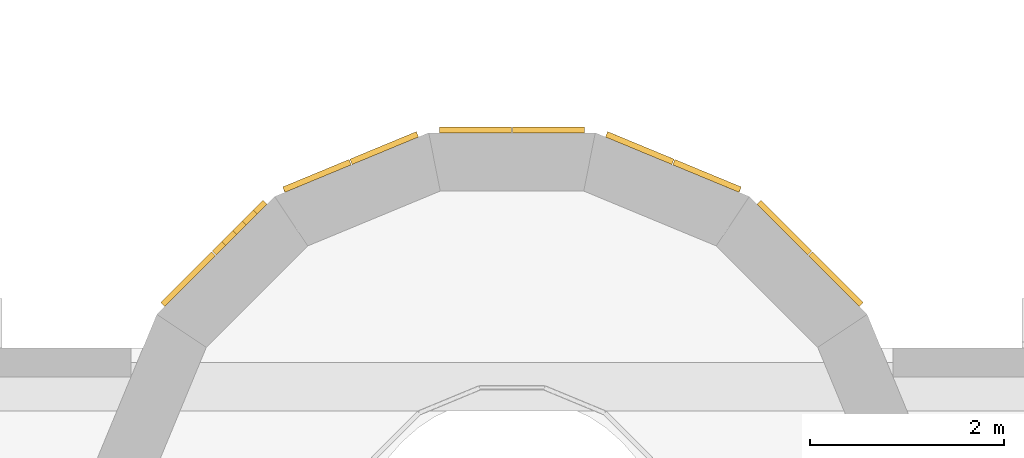
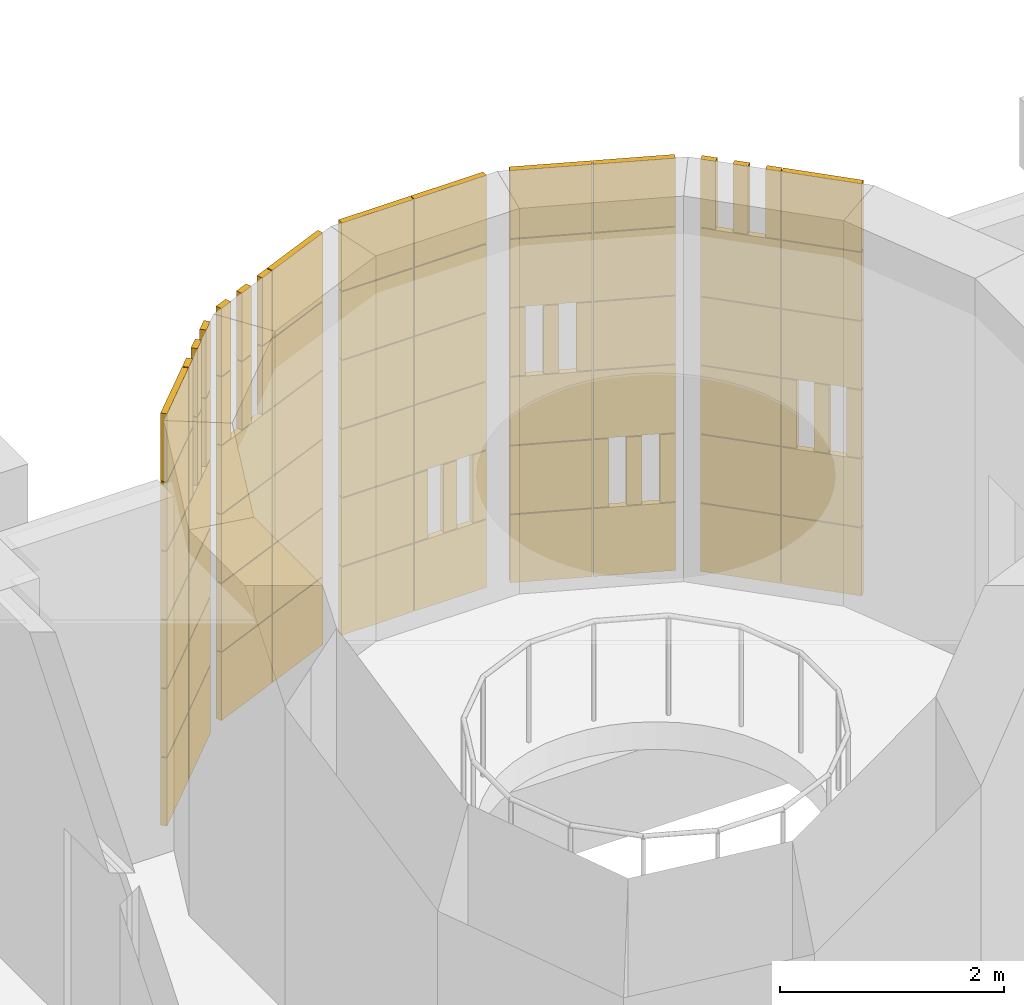
# One storey, part 60 of 92: 6 coverings.
"""IFC4 building model written with IfcOpenShell, lengths in metres."""

from ifc_helpers import new_model, si_unit, direction, frame, origin, origin_2d, place, context, subcontext, project, spatial, rectangle, extrude, material, layer, layer_set, type_object, element, save


model = new_model("IFC4")

# Units and contexts
model_context = context("Model", 3, precision=1e-05, world=origin(), true_north=direction((0.0, 1.0)))
body_context = subcontext(model_context, "Body", "Model", "MODEL_VIEW")
ifc_project = project(units=[si_unit("LENGTHUNIT", "METRE"), si_unit("AREAUNIT", "SQUARE_METRE"), si_unit("VOLUMEUNIT", "CUBIC_METRE"), si_unit("PLANEANGLEUNIT", "RADIAN"), si_unit("MASSUNIT", "GRAM", prefix="KILO")], contexts=[model_context])

# Site, building, storey
site_placement = place(None, origin())
site = spatial("IfcSite", under=ifc_project, at=site_placement, CompositionType="ELEMENT")
building_placement = place(site_placement, origin())
building = spatial("IfcBuilding", under=site, at=building_placement, Name="Sun Court Science Centre", CompositionType="ELEMENT")
storey_placement = place(building_placement, frame((0.0, 0.0, 11.25)))
storey = spatial("IfcBuildingStorey", under=building, at=storey_placement, Name="L02", CompositionType="ELEMENT", Elevation=11.25)

# Coverings
ifc_material_1 = material(Name="Terracotta jali", Category="masonry")
ifc_layer_1 = layer(ifc_material_1, 0.06005859375)
ifc_layer_set_1 = layer_set([ifc_layer_1], Name="Terracotta jali")
covering_type_1 = type_object("IfcCoveringType", Name="Terracotta open jali panel", PredefinedType="CLADDING", material=ifc_layer_set_1)
covering_1_placement = place(storey_placement, frame((0.0, 0.0, -11.25)))
element("IfcCovering", 1, at=covering_1_placement, inside=storey, type_object=covering_type_1, Name="Open jali pixel cladding cone 2 L02", PredefinedType="CLADDING", context=body_context, shape_type="SweptSolid", body=[
    extrude(rectangle(XDim=0.139892578125, YDim=0.06005859375, at=origin_2d()), frame((21.125732421875, 28.919677734375, 12.455078125), z_axis=(0.0, 0.0, 1.0), x_axis=(0.707106781187, -0.707106781187, 0.0)), (0.0, 0.0, 1.0), 0.739990234375),
    extrude(rectangle(XDim=0.139892578125, YDim=0.06005859375, at=origin_2d()), frame((21.337890625, 28.70751953125, 12.455078125), z_axis=(0.0, 0.0, 1.0), x_axis=(0.707106781187, -0.707106781187, 0.0)), (0.0, 0.0, 1.0), 0.739990234375),
    extrude(rectangle(XDim=0.139892578125, YDim=0.06005859375, at=origin_2d()), frame((21.550048828125, 28.495361328125, 12.455078125), z_axis=(0.0, 0.0, 1.0), x_axis=(0.707106781187, -0.707106781187, 0.0)), (0.0, 0.0, 1.0), 0.739990234375),
    extrude(rectangle(XDim=0.139892578125, YDim=0.06005859375, at=origin_2d()), frame((20.595458984375, 29.449951171875, 14.705078125), z_axis=(0.0, 0.0, 1.0), x_axis=(0.707106781187, -0.707106781187, 0.0)), (0.0, 0.0, 1.0), 0.739990234375),
    extrude(rectangle(XDim=0.139892578125, YDim=0.06005859375, at=origin_2d()), frame((20.8076171875, 29.23779296875, 14.705078125), z_axis=(0.0, 0.0, 1.0), x_axis=(0.707106781187, -0.707106781187, 0.0)), (0.0, 0.0, 1.0), 0.739990234375),
    extrude(rectangle(XDim=0.139892578125, YDim=0.06005859375, at=origin_2d()), frame((21.019775390625, 29.025634765625, 14.705078125), z_axis=(0.0, 0.0, 1.0), x_axis=(0.707106781187, -0.707106781187, 0.0)), (0.0, 0.0, 1.0), 0.739990234375),
    extrude(rectangle(XDim=0.139892578125, YDim=0.06005859375, at=origin_2d()), frame((19.732177734375, 29.885986328125, 11.705078125), z_axis=(0.0, 0.0, 1.0), x_axis=(0.923879532511, -0.382683432365, 0.0)), (0.0, 0.0, 1.0), 0.739990234375),
    extrude(rectangle(XDim=0.139892578125, YDim=0.06005859375, at=origin_2d()), frame((20.00927734375, 29.771240234375, 11.705078125), z_axis=(0.0, 0.0, 1.0), x_axis=(0.923879532511, -0.382683432365, 0.0)), (0.0, 0.0, 1.0), 0.739990234375),
    extrude(rectangle(XDim=0.139892578125, YDim=0.06005859375, at=origin_2d()), frame((20.28662109375, 29.65625, 11.705078125), z_axis=(0.0, 0.0, 1.0), x_axis=(0.923879532511, -0.382683432365, 0.0)), (0.0, 0.0, 1.0), 0.739990234375),
    extrude(rectangle(XDim=0.139892578125, YDim=0.06005859375, at=origin_2d()), frame((19.039306640625, 30.173095703125, 13.205078125), z_axis=(0.0, 0.0, 1.0), x_axis=(0.923879532511, -0.382683432365, 0.0)), (0.0, 0.0, 1.0), 0.739990234375),
    extrude(rectangle(XDim=0.139892578125, YDim=0.06005859375, at=origin_2d()), frame((19.31640625, 30.05810546875, 13.205078125), z_axis=(0.0, 0.0, 1.0), x_axis=(0.923879532511, -0.382683432365, 0.0)), (0.0, 0.0, 1.0), 0.739990234375),
    extrude(rectangle(XDim=0.139892578125, YDim=0.06005859375, at=origin_2d()), frame((19.59375, 29.943359375, 13.205078125), z_axis=(0.0, 0.0, 1.0), x_axis=(0.923879532511, -0.382683432365, 0.0)), (0.0, 0.0, 1.0), 0.739990234375),
    extrude(rectangle(XDim=0.139892578125, YDim=0.06005859375, at=origin_2d()), frame((18.074951171875, 30.245361328125, 11.705078125), z_axis=(0.0, 0.0, 1.0), x_axis=(1.0, 0.0, 0.0)), (0.0, 0.0, 1.0), 0.739990234375),
    extrude(rectangle(XDim=0.139892578125, YDim=0.06005859375, at=origin_2d()), frame((18.375, 30.245361328125, 11.705078125), z_axis=(0.0, 0.0, 1.0), x_axis=(1.0, 0.0, 0.0)), (0.0, 0.0, 1.0), 0.739990234375),
    extrude(rectangle(XDim=0.139892578125, YDim=0.06005859375, at=origin_2d()), frame((18.675048828125, 30.245361328125, 11.705078125), z_axis=(0.0, 0.0, 1.0), x_axis=(1.0, 0.0, 0.0)), (0.0, 0.0, 1.0), 0.739990234375),
    extrude(rectangle(XDim=0.139892578125, YDim=0.06005859375, at=origin_2d()), frame((15.71337890625, 29.65625, 13.955078125), z_axis=(0.0, 0.0, 1.0), x_axis=(0.923879532511, 0.382683432365, 0.0)), (0.0, 0.0, 1.0), 0.739990234375),
    extrude(rectangle(XDim=0.139892578125, YDim=0.06005859375, at=origin_2d()), frame((15.99072265625, 29.771240234375, 13.955078125), z_axis=(0.0, 0.0, 1.0), x_axis=(0.923879532511, 0.382683432365, 0.0)), (0.0, 0.0, 1.0), 0.739990234375),
    extrude(rectangle(XDim=0.139892578125, YDim=0.06005859375, at=origin_2d()), frame((16.267822265625, 29.885986328125, 13.955078125), z_axis=(0.0, 0.0, 1.0), x_axis=(0.923879532511, 0.382683432365, 0.0)), (0.0, 0.0, 1.0), 0.739990234375),
    extrude(rectangle(XDim=0.139892578125, YDim=0.06005859375, at=origin_2d()), frame((15.71337890625, 29.65625, 14.705078125), z_axis=(0.0, 0.0, 1.0), x_axis=(0.923879532511, 0.382683432365, 0.0)), (0.0, 0.0, 1.0), 0.739990234375),
    extrude(rectangle(XDim=0.139892578125, YDim=0.06005859375, at=origin_2d()), frame((15.99072265625, 29.771240234375, 14.705078125), z_axis=(0.0, 0.0, 1.0), x_axis=(0.923879532511, 0.382683432365, 0.0)), (0.0, 0.0, 1.0), 0.739990234375),
    extrude(rectangle(XDim=0.139892578125, YDim=0.06005859375, at=origin_2d()), frame((16.267822265625, 29.885986328125, 14.705078125), z_axis=(0.0, 0.0, 1.0), x_axis=(0.923879532511, 0.382683432365, 0.0)), (0.0, 0.0, 1.0), 0.739990234375),
    extrude(rectangle(XDim=0.139892578125, YDim=0.06005859375, at=origin_2d()), frame((14.980224609375, 29.025634765625, 13.955078125), z_axis=(0.0, 0.0, 1.0), x_axis=(0.707106781187, 0.707106781187, 0.0)), (0.0, 0.0, 1.0), 0.739990234375),
    extrude(rectangle(XDim=0.139892578125, YDim=0.06005859375, at=origin_2d()), frame((15.1923828125, 29.23779296875, 13.955078125), z_axis=(0.0, 0.0, 1.0), x_axis=(0.707106781187, 0.707106781187, 0.0)), (0.0, 0.0, 1.0), 0.739990234375),
    extrude(rectangle(XDim=0.139892578125, YDim=0.06005859375, at=origin_2d()), frame((15.404541015625, 29.449951171875, 13.955078125), z_axis=(0.0, 0.0, 1.0), x_axis=(0.707106781187, 0.707106781187, 0.0)), (0.0, 0.0, 1.0), 0.739990234375),
    extrude(rectangle(XDim=0.139892578125, YDim=0.06005859375, at=origin_2d()), frame((14.980224609375, 29.025634765625, 14.705078125), z_axis=(0.0, 0.0, 1.0), x_axis=(0.707106781187, 0.707106781187, 0.0)), (0.0, 0.0, 1.0), 0.739990234375),
    extrude(rectangle(XDim=0.139892578125, YDim=0.06005859375, at=origin_2d()), frame((15.1923828125, 29.23779296875, 14.705078125), z_axis=(0.0, 0.0, 1.0), x_axis=(0.707106781187, 0.707106781187, 0.0)), (0.0, 0.0, 1.0), 0.739990234375),
    extrude(rectangle(XDim=0.139892578125, YDim=0.06005859375, at=origin_2d()), frame((15.404541015625, 29.449951171875, 14.705078125), z_axis=(0.0, 0.0, 1.0), x_axis=(0.707106781187, 0.707106781187, 0.0)), (0.0, 0.0, 1.0), 0.739990234375),
    extrude(rectangle(XDim=0.739990234375, YDim=0.06005859375, at=origin_2d()), frame((21.337890625, 28.70751953125, 10.955078125), z_axis=(0.0, 0.0, 1.0), x_axis=(0.707106781187, -0.707106781187, 0.0)), (0.0, 0.0, 1.0), 0.739990234375),
    extrude(rectangle(XDim=0.739990234375, YDim=0.06005859375, at=origin_2d()), frame((21.337890625, 28.70751953125, 13.205078125), z_axis=(0.0, 0.0, 1.0), x_axis=(0.707106781187, -0.707106781187, 0.0)), (0.0, 0.0, 1.0), 0.739990234375),
    extrude(rectangle(XDim=0.739990234375, YDim=0.06005859375, at=origin_2d()), frame((15.1923828125, 29.23779296875, 10.955078125), z_axis=(0.0, 0.0, 1.0), x_axis=(0.707106781187, 0.707106781187, 0.0)), (0.0, 0.0, 1.0), 0.739990234375),
    extrude(rectangle(XDim=0.739990234375, YDim=0.06005859375, at=origin_2d()), frame((21.337890625, 28.70751953125, 11.705078125), z_axis=(0.0, 0.0, 1.0), x_axis=(0.707106781187, -0.707106781187, 0.0)), (0.0, 0.0, 1.0), 0.739990234375),
    extrude(rectangle(XDim=0.739990234375, YDim=0.06005859375, at=origin_2d()), frame((21.337890625, 28.70751953125, 14.705078125), z_axis=(0.0, 0.0, 1.0), x_axis=(0.707106781187, -0.707106781187, 0.0)), (0.0, 0.0, 1.0), 0.739990234375),
    extrude(rectangle(XDim=0.739990234375, YDim=0.06005859375, at=origin_2d()), frame((18.375, 30.245361328125, 14.705078125), z_axis=(0.0, 0.0, 1.0), x_axis=(1.0, 0.0, 0.0)), (0.0, 0.0, 1.0), 0.739990234375),
])
ifc_material_2 = material(Name="Terracotta shade 1", Category="masonry")
ifc_layer_2 = layer(ifc_material_2, 0.06005859375)
ifc_layer_set_2 = layer_set([ifc_layer_2], Name="Terracotta shade 1")
covering_type_2 = type_object("IfcCoveringType", Name="Terracotta pixel panel shade 1", PredefinedType="CLADDING", material=ifc_layer_set_2)
covering_2_placement = place(storey_placement, frame((0.0, 0.0, -11.25)))
element("IfcCovering", 2, at=covering_2_placement, inside=storey, type_object=covering_type_2, Name="Terracotta pixel cladding shade 1 cone 2 L02", PredefinedType="CLADDING", context=body_context, shape_type="SweptSolid", body=[
    extrude(rectangle(XDim=0.739990234375, YDim=0.06005859375, at=origin_2d()), frame((20.8076171875, 29.23779296875, 11.705078125), z_axis=(0.0, 0.0, 1.0), x_axis=(0.707106781187, -0.707106781187, 0.0)), (0.0, 0.0, 1.0), 0.739990234375),
    extrude(rectangle(XDim=0.739990234375, YDim=0.06005859375, at=origin_2d()), frame((19.31640625, 30.05810546875, 11.705078125), z_axis=(0.0, 0.0, 1.0), x_axis=(0.923879532511, -0.382683432365, 0.0)), (0.0, 0.0, 1.0), 0.739990234375),
    extrude(rectangle(XDim=0.739990234375, YDim=0.06005859375, at=origin_2d()), frame((20.00927734375, 29.771240234375, 12.455078125), z_axis=(0.0, 0.0, 1.0), x_axis=(0.923879532511, -0.382683432365, 0.0)), (0.0, 0.0, 1.0), 0.739990234375),
    extrude(rectangle(XDim=0.739990234375, YDim=0.06005859375, at=origin_2d()), frame((20.00927734375, 29.771240234375, 13.955078125), z_axis=(0.0, 0.0, 1.0), x_axis=(0.923879532511, -0.382683432365, 0.0)), (0.0, 0.0, 1.0), 0.739990234375),
    extrude(rectangle(XDim=0.739990234375, YDim=0.06005859375, at=origin_2d()), frame((17.625, 30.245361328125, 10.955078125), z_axis=(0.0, 0.0, 1.0), x_axis=(1.0, 0.0, 0.0)), (0.0, 0.0, 1.0), 0.739990234375),
    extrude(rectangle(XDim=0.739990234375, YDim=0.06005859375, at=origin_2d()), frame((18.375, 30.245361328125, 10.955078125), z_axis=(0.0, 0.0, 1.0), x_axis=(1.0, 0.0, 0.0)), (0.0, 0.0, 1.0), 0.739990234375),
    extrude(rectangle(XDim=0.739990234375, YDim=0.06005859375, at=origin_2d()), frame((17.625, 30.245361328125, 11.705078125), z_axis=(0.0, 0.0, 1.0), x_axis=(1.0, 0.0, 0.0)), (0.0, 0.0, 1.0), 0.739990234375),
    extrude(rectangle(XDim=0.739990234375, YDim=0.06005859375, at=origin_2d()), frame((18.375, 30.245361328125, 12.455078125), z_axis=(0.0, 0.0, 1.0), x_axis=(1.0, 0.0, 0.0)), (0.0, 0.0, 1.0), 0.739990234375),
    extrude(rectangle(XDim=0.739990234375, YDim=0.06005859375, at=origin_2d()), frame((18.375, 30.245361328125, 13.205078125), z_axis=(0.0, 0.0, 1.0), x_axis=(1.0, 0.0, 0.0)), (0.0, 0.0, 1.0), 0.739990234375),
    extrude(rectangle(XDim=0.739990234375, YDim=0.06005859375, at=origin_2d()), frame((15.99072265625, 29.771240234375, 11.705078125), z_axis=(0.0, 0.0, 1.0), x_axis=(0.923879532511, 0.382683432365, 0.0)), (0.0, 0.0, 1.0), 0.739990234375),
    extrude(rectangle(XDim=0.739990234375, YDim=0.06005859375, at=origin_2d()), frame((16.68359375, 30.05810546875, 11.705078125), z_axis=(0.0, 0.0, 1.0), x_axis=(0.923879532511, 0.382683432365, 0.0)), (0.0, 0.0, 1.0), 0.739990234375),
    extrude(rectangle(XDim=0.739990234375, YDim=0.06005859375, at=origin_2d()), frame((16.68359375, 30.05810546875, 13.205078125), z_axis=(0.0, 0.0, 1.0), x_axis=(0.923879532511, 0.382683432365, 0.0)), (0.0, 0.0, 1.0), 0.739990234375),
    extrude(rectangle(XDim=0.739990234375, YDim=0.06005859375, at=origin_2d()), frame((15.1923828125, 29.23779296875, 11.705078125), z_axis=(0.0, 0.0, 1.0), x_axis=(0.707106781187, 0.707106781187, 0.0)), (0.0, 0.0, 1.0), 0.739990234375),
    extrude(rectangle(XDim=0.739990234375, YDim=0.06005859375, at=origin_2d()), frame((14.662109375, 28.70751953125, 14.705078125), z_axis=(0.0, 0.0, 1.0), x_axis=(0.707106781187, 0.707106781187, 0.0)), (0.0, 0.0, 1.0), 0.739990234375),
    extrude(rectangle(XDim=0.739990234375, YDim=0.06005859375, at=origin_2d()), frame((20.8076171875, 29.23779296875, 12.455078125), z_axis=(0.0, 0.0, 1.0), x_axis=(0.707106781187, -0.707106781187, 0.0)), (0.0, 0.0, 1.0), 0.739990234375),
    extrude(rectangle(XDim=0.739990234375, YDim=0.06005859375, at=origin_2d()), frame((14.662109375, 28.70751953125, 13.205078125), z_axis=(0.0, 0.0, 1.0), x_axis=(0.707106781187, 0.707106781187, 0.0)), (0.0, 0.0, 1.0), 0.739990234375),
    extrude(rectangle(XDim=0.739990234375, YDim=0.06005859375, at=origin_2d()), frame((14.662109375, 28.70751953125, 13.955078125), z_axis=(0.0, 0.0, 1.0), x_axis=(0.707106781187, 0.707106781187, 0.0)), (0.0, 0.0, 1.0), 0.739990234375),
    extrude(rectangle(XDim=0.739990234375, YDim=0.06005859375, at=origin_2d()), frame((20.8076171875, 29.23779296875, 13.205078125), z_axis=(0.0, 0.0, 1.0), x_axis=(0.707106781187, -0.707106781187, 0.0)), (0.0, 0.0, 1.0), 0.739990234375),
    extrude(rectangle(XDim=0.739990234375, YDim=0.06005859375, at=origin_2d()), frame((14.662109375, 28.70751953125, 10.955078125), z_axis=(0.0, 0.0, 1.0), x_axis=(0.707106781187, 0.707106781187, 0.0)), (0.0, 0.0, 1.0), 0.739990234375),
])
ifc_material_3 = material(Name="Terracotta shade 2", Category="masonry")
ifc_layer_3 = layer(ifc_material_3, 0.06005859375)
ifc_layer_set_3 = layer_set([ifc_layer_3], Name="Terracotta shade 2")
covering_type_3 = type_object("IfcCoveringType", Name="Terracotta pixel panel shade 2", PredefinedType="CLADDING", material=ifc_layer_set_3)
covering_3_placement = place(storey_placement, frame((0.0, 0.0, -11.25)))
element("IfcCovering", 3, at=covering_3_placement, inside=storey, type_object=covering_type_3, Name="Terracotta pixel cladding shade 2 cone 2 L02", PredefinedType="CLADDING", context=body_context, shape_type="SweptSolid", body=[
    extrude(rectangle(XDim=0.739990234375, YDim=0.06005859375, at=origin_2d()), frame((19.31640625, 30.05810546875, 12.455078125), z_axis=(0.0, 0.0, 1.0), x_axis=(0.923879532511, -0.382683432365, 0.0)), (0.0, 0.0, 1.0), 0.739990234375),
    extrude(rectangle(XDim=0.739990234375, YDim=0.06005859375, at=origin_2d()), frame((19.31640625, 30.05810546875, 14.705078125), z_axis=(0.0, 0.0, 1.0), x_axis=(0.923879532511, -0.382683432365, 0.0)), (0.0, 0.0, 1.0), 0.739990234375),
    extrude(rectangle(XDim=0.739990234375, YDim=0.06005859375, at=origin_2d()), frame((20.00927734375, 29.771240234375, 14.705078125), z_axis=(0.0, 0.0, 1.0), x_axis=(0.923879532511, -0.382683432365, 0.0)), (0.0, 0.0, 1.0), 0.739990234375),
    extrude(rectangle(XDim=0.739990234375, YDim=0.06005859375, at=origin_2d()), frame((17.625, 30.245361328125, 12.455078125), z_axis=(0.0, 0.0, 1.0), x_axis=(1.0, 0.0, 0.0)), (0.0, 0.0, 1.0), 0.739990234375),
    extrude(rectangle(XDim=0.739990234375, YDim=0.06005859375, at=origin_2d()), frame((15.99072265625, 29.771240234375, 12.455078125), z_axis=(0.0, 0.0, 1.0), x_axis=(0.923879532511, 0.382683432365, 0.0)), (0.0, 0.0, 1.0), 0.739990234375),
    extrude(rectangle(XDim=0.739990234375, YDim=0.06005859375, at=origin_2d()), frame((16.68359375, 30.05810546875, 14.705078125), z_axis=(0.0, 0.0, 1.0), x_axis=(0.923879532511, 0.382683432365, 0.0)), (0.0, 0.0, 1.0), 0.739990234375),
    extrude(rectangle(XDim=0.739990234375, YDim=0.06005859375, at=origin_2d()), frame((14.662109375, 28.70751953125, 11.705078125), z_axis=(0.0, 0.0, 1.0), x_axis=(0.707106781187, 0.707106781187, 0.0)), (0.0, 0.0, 1.0), 0.739990234375),
    extrude(rectangle(XDim=0.739990234375, YDim=0.06005859375, at=origin_2d()), frame((14.662109375, 28.70751953125, 12.455078125), z_axis=(0.0, 0.0, 1.0), x_axis=(0.707106781187, 0.707106781187, 0.0)), (0.0, 0.0, 1.0), 0.739990234375),
    extrude(rectangle(XDim=0.739990234375, YDim=0.06005859375, at=origin_2d()), frame((15.1923828125, 29.23779296875, 12.455078125), z_axis=(0.0, 0.0, 1.0), x_axis=(0.707106781187, 0.707106781187, 0.0)), (0.0, 0.0, 1.0), 0.739990234375),
    extrude(rectangle(XDim=0.739990234375, YDim=0.06005859375, at=origin_2d()), frame((15.1923828125, 29.23779296875, 13.205078125), z_axis=(0.0, 0.0, 1.0), x_axis=(0.707106781187, 0.707106781187, 0.0)), (0.0, 0.0, 1.0), 0.739990234375),
    extrude(rectangle(XDim=0.739990234375, YDim=0.06005859375, at=origin_2d()), frame((17.625, 30.245361328125, 14.705078125), z_axis=(0.0, 0.0, 1.0), x_axis=(1.0, 0.0, 0.0)), (0.0, 0.0, 1.0), 0.739990234375),
])
ifc_material_4 = material(Name="Terracotta shade 3", Category="masonry")
ifc_layer_4 = layer(ifc_material_4, 0.06005859375)
ifc_layer_set_4 = layer_set([ifc_layer_4], Name="Terracotta shade 3")
covering_type_4 = type_object("IfcCoveringType", Name="Terracotta pixel panel shade 3", PredefinedType="CLADDING", material=ifc_layer_set_4)
covering_4_placement = place(storey_placement, frame((0.0, 0.0, -11.25)))
element("IfcCovering", 4, at=covering_4_placement, inside=storey, type_object=covering_type_4, Name="Terracotta pixel cladding shade 3 cone 2 L02", PredefinedType="CLADDING", context=body_context, shape_type="SweptSolid", body=[
    extrude(rectangle(XDim=0.739990234375, YDim=0.06005859375, at=origin_2d()), frame((20.00927734375, 29.771240234375, 13.205078125), z_axis=(0.0, 0.0, 1.0), x_axis=(0.923879532511, -0.382683432365, 0.0)), (0.0, 0.0, 1.0), 0.739990234375),
    extrude(rectangle(XDim=0.739990234375, YDim=0.06005859375, at=origin_2d()), frame((18.375, 30.245361328125, 13.955078125), z_axis=(0.0, 0.0, 1.0), x_axis=(1.0, 0.0, 0.0)), (0.0, 0.0, 1.0), 0.739990234375),
    extrude(rectangle(XDim=0.739990234375, YDim=0.06005859375, at=origin_2d()), frame((16.68359375, 30.05810546875, 10.955078125), z_axis=(0.0, 0.0, 1.0), x_axis=(0.923879532511, 0.382683432365, 0.0)), (0.0, 0.0, 1.0), 0.739990234375),
])
ifc_material_5 = material(Name="Terracotta shade 4", Category="masonry")
ifc_layer_5 = layer(ifc_material_5, 0.06005859375)
ifc_layer_set_5 = layer_set([ifc_layer_5], Name="Terracotta shade 4")
covering_type_5 = type_object("IfcCoveringType", Name="Terracotta pixel panel shade 4", PredefinedType="CLADDING", material=ifc_layer_set_5)
covering_5_placement = place(storey_placement, frame((0.0, 0.0, -11.25)))
element("IfcCovering", 5, at=covering_5_placement, inside=storey, type_object=covering_type_5, Name="Terracotta pixel cladding shade 4 cone 2 L02", PredefinedType="CLADDING", context=body_context, shape_type="SweptSolid", body=[
    extrude(rectangle(XDim=0.739990234375, YDim=0.06005859375, at=origin_2d()), frame((20.8076171875, 29.23779296875, 13.955078125), z_axis=(0.0, 0.0, 1.0), x_axis=(0.707106781187, -0.707106781187, 0.0)), (0.0, 0.0, 1.0), 0.739990234375),
    extrude(rectangle(XDim=0.739990234375, YDim=0.06005859375, at=origin_2d()), frame((19.31640625, 30.05810546875, 13.955078125), z_axis=(0.0, 0.0, 1.0), x_axis=(0.923879532511, -0.382683432365, 0.0)), (0.0, 0.0, 1.0), 0.739990234375),
    extrude(rectangle(XDim=0.739990234375, YDim=0.06005859375, at=origin_2d()), frame((17.625, 30.245361328125, 13.205078125), z_axis=(0.0, 0.0, 1.0), x_axis=(1.0, 0.0, 0.0)), (0.0, 0.0, 1.0), 0.739990234375),
    extrude(rectangle(XDim=0.739990234375, YDim=0.06005859375, at=origin_2d()), frame((17.625, 30.245361328125, 13.955078125), z_axis=(0.0, 0.0, 1.0), x_axis=(1.0, 0.0, 0.0)), (0.0, 0.0, 1.0), 0.739990234375),
    extrude(rectangle(XDim=0.739990234375, YDim=0.06005859375, at=origin_2d()), frame((15.99072265625, 29.771240234375, 10.955078125), z_axis=(0.0, 0.0, 1.0), x_axis=(0.923879532511, 0.382683432365, 0.0)), (0.0, 0.0, 1.0), 0.739990234375),
    extrude(rectangle(XDim=0.739990234375, YDim=0.06005859375, at=origin_2d()), frame((16.68359375, 30.05810546875, 12.455078125), z_axis=(0.0, 0.0, 1.0), x_axis=(0.923879532511, 0.382683432365, 0.0)), (0.0, 0.0, 1.0), 0.739990234375),
    extrude(rectangle(XDim=0.739990234375, YDim=0.06005859375, at=origin_2d()), frame((15.99072265625, 29.771240234375, 13.205078125), z_axis=(0.0, 0.0, 1.0), x_axis=(0.923879532511, 0.382683432365, 0.0)), (0.0, 0.0, 1.0), 0.739990234375),
    extrude(rectangle(XDim=0.739990234375, YDim=0.06005859375, at=origin_2d()), frame((16.68359375, 30.05810546875, 13.955078125), z_axis=(0.0, 0.0, 1.0), x_axis=(0.923879532511, 0.382683432365, 0.0)), (0.0, 0.0, 1.0), 0.739990234375),
])
ifc_material_6 = material(Name="Terracotta shade 5", Category="masonry")
ifc_layer_6 = layer(ifc_material_6, 0.06005859375)
ifc_layer_set_6 = layer_set([ifc_layer_6], Name="Terracotta shade 5")
covering_type_6 = type_object("IfcCoveringType", Name="Terracotta pixel panel shade 5", PredefinedType="CLADDING", material=ifc_layer_set_6)
covering_6_placement = place(storey_placement, frame((0.0, 0.0, -11.25)))
element("IfcCovering", 6, at=covering_6_placement, inside=storey, type_object=covering_type_6, Name="Terracotta pixel cladding shade 5 cone 2 L02", PredefinedType="CLADDING", context=body_context, shape_type="SweptSolid", body=[
    extrude(rectangle(XDim=0.739990234375, YDim=0.06005859375, at=origin_2d()), frame((20.8076171875, 29.23779296875, 10.955078125), z_axis=(0.0, 0.0, 1.0), x_axis=(0.707106781187, -0.707106781187, 0.0)), (0.0, 0.0, 1.0), 0.739990234375),
    extrude(rectangle(XDim=0.739990234375, YDim=0.06005859375, at=origin_2d()), frame((21.337890625, 28.70751953125, 13.955078125), z_axis=(0.0, 0.0, 1.0), x_axis=(0.707106781187, -0.707106781187, 0.0)), (0.0, 0.0, 1.0), 0.739990234375),
    extrude(rectangle(XDim=0.739990234375, YDim=0.06005859375, at=origin_2d()), frame((19.31640625, 30.05810546875, 10.955078125), z_axis=(0.0, 0.0, 1.0), x_axis=(0.923879532511, -0.382683432365, 0.0)), (0.0, 0.0, 1.0), 0.739990234375),
    extrude(rectangle(XDim=0.739990234375, YDim=0.06005859375, at=origin_2d()), frame((20.00927734375, 29.771240234375, 10.955078125), z_axis=(0.0, 0.0, 1.0), x_axis=(0.923879532511, -0.382683432365, 0.0)), (0.0, 0.0, 1.0), 0.739990234375),
])

save(model, "model.ifc")
